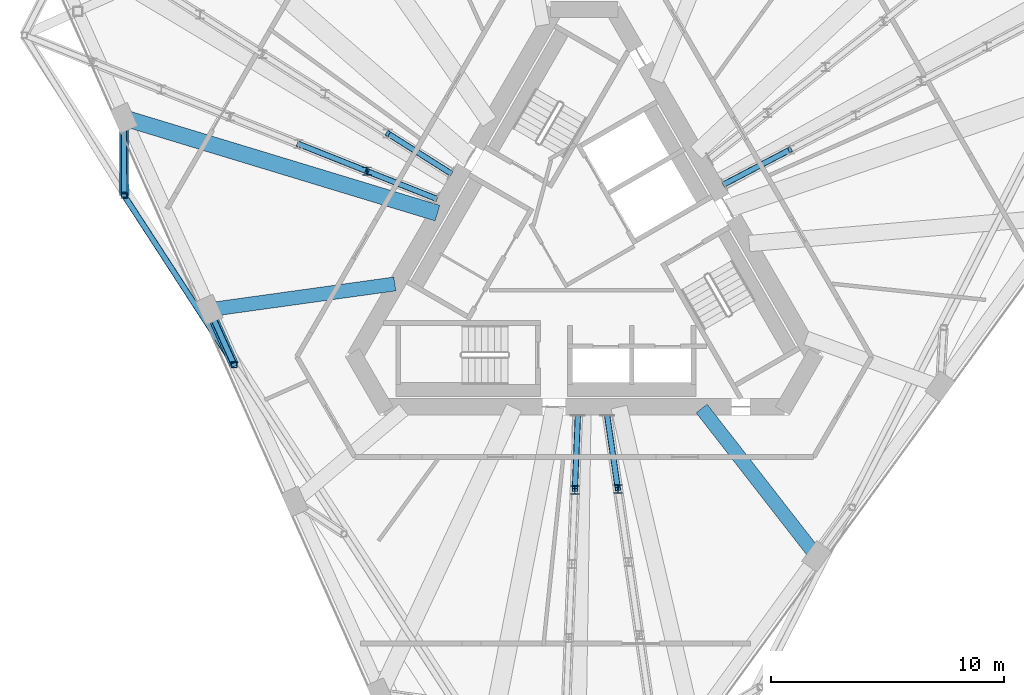
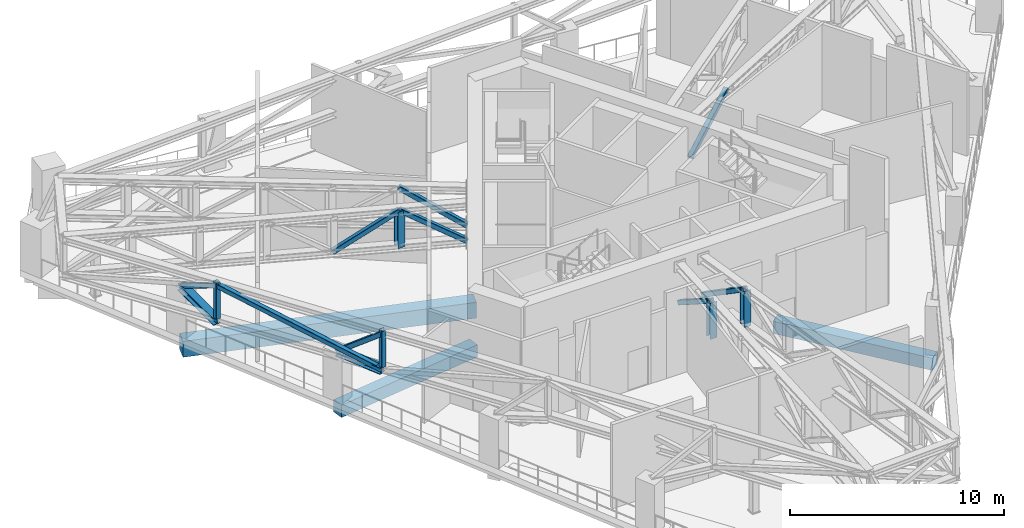
# One storey, part 4 of 20: 16 members, 3 beams.
"""IFC4 building model written with IfcOpenShell, lengths in metres."""

from ifc_helpers import new_model, si_unit, direction, frame, origin, origin_2d, place, context, subcontext, project, spatial, rectangle, hollow_rectangle, i_section, extrude, material, material_profile, profile_set, type_object, element, save


model = new_model("IFC4")

# Units and contexts
model_context = context("Model", 3, precision=1e-05, world=origin(), true_north=direction((0.0, 1.0)))
body_context = subcontext(model_context, "Body", "Model", "MODEL_VIEW")
ifc_project = project(units=[si_unit("LENGTHUNIT", "METRE"), si_unit("AREAUNIT", "SQUARE_METRE"), si_unit("VOLUMEUNIT", "CUBIC_METRE"), si_unit("PLANEANGLEUNIT", "RADIAN"), si_unit("MASSUNIT", "GRAM", prefix="KILO")], contexts=[model_context])

# Site, building, storey
site_placement = place(None, origin())
site = spatial("IfcSite", under=ifc_project, at=site_placement, CompositionType="ELEMENT")
building_placement = place(site_placement, origin())
building = spatial("IfcBuilding", under=site, at=building_placement, Name="Tramontana Tower", CompositionType="ELEMENT")
storey_placement = place(building_placement, frame((0.0, 0.0, 269.199951171875)))
storey = spatial("IfcBuildingStorey", under=building, at=storey_placement, Name="L63", CompositionType="ELEMENT", Elevation=269.199951171875)

# Members
ifc_material_1 = material(Name="Steel ASTM A500 Grade C", Category="steel")
ifc_material_profile_1 = material_profile(ifc_material_1, hollow_rectangle(XDim=0.25390625, YDim=0.25390625, WallThickness=0.01171875, InnerFilletRadius=0.01171875, OuterFilletRadius=0.023681640625, at=origin_2d()), Name="HSS10X10X1/2")
ifc_profile_set_1 = profile_set([ifc_material_profile_1], Name="Steel ASTM A500 Grade C")
member_type_1 = type_object("IfcMemberType", Name="Belt truss HSS10X10X1/2 brace", PredefinedType="BRACE", material=ifc_profile_set_1)
member_1_placement = place(storey_placement, frame((-19.739013671875, 2.670654296875, 4.65625), z_axis=(0.529823640233, -0.815851619925, -0.231674436475), x_axis=(0.838668969916, 0.544641495757, 0.0)))
element("IfcMember", 1, at=member_1_placement, inside=storey, type_object=member_type_1, Name="Belt truss diagonal S0.2", PredefinedType="BRACE", context=body_context, shape_type="SweptSolid", body=[
    extrude(hollow_rectangle(XDim=0.25390625, YDim=0.25390625, WallThickness=0.01171875, InnerFilletRadius=0.01171875, OuterFilletRadius=0.023681640625, at=origin_2d()), origin(), (0.0, 0.0, 1.0), 8.902587890625),
])
ifc_material_2 = material(Name="Steel ASTM A500 Grade C", Category="steel")
ifc_material_profile_2 = material_profile(ifc_material_2, hollow_rectangle(XDim=0.25390625, YDim=0.25390625, WallThickness=0.01171875, InnerFilletRadius=0.01171875, OuterFilletRadius=0.023681640625, at=origin_2d()), Name="HSS10X10X1/2")
ifc_profile_set_2 = profile_set([ifc_material_profile_2], Name="Steel ASTM A500 Grade C")
member_type_2 = type_object("IfcMemberType", Name="Belt truss HSS10X10X1/2 post", PredefinedType="POST", material=ifc_profile_set_2)
for number, where, z_axis, x_axis, name in (
    (2, (-19.739013671875, 2.670654296875, 2.787353515625), (0.0, 0.0, 1.0), (1.0, 0.0, 0.0), "Belt truss post C7F01"),
    (3, (-15.022216796875, -4.592529296875, 2.787353515625), (0.0, 0.0, 1.0), (1.0, 0.0, 0.0), "Belt truss post C7F02"),
):
    element("IfcMember", number, at=place(storey_placement, frame(where, z_axis=z_axis, x_axis=x_axis)), inside=storey, type_object=member_type_2, Name=name, PredefinedType="POST", context=body_context, shape_type="SweptSolid", body=[
        extrude(hollow_rectangle(XDim=0.25390625, YDim=0.25390625, WallThickness=0.01171875, InnerFilletRadius=0.01171875, OuterFilletRadius=0.023681640625, at=origin_2d()), origin(), (0.0, 0.0, 1.0), 2.062744140625),
    ])

# Beams
ifc_material_3 = material(Name="Concrete 40 MPa", Category="concrete")
ifc_material_profile_3 = material_profile(ifc_material_3, rectangle(XDim=0.60009765625, YDim=0.699951171875, at=origin_2d()), Name="RC GIRDER 600X700 40 MPa")
ifc_profile_set_3 = profile_set([ifc_material_profile_3], Name="Concrete 40 MPa")
beam_type_1 = type_object("IfcBeamType", Name="RC GIRDER 600X700 40 MPa", PredefinedType="BEAM", material=ifc_profile_set_3)
for number, where, z_axis, x_axis, name in (
    (4, (-16.0830078125, -2.231201171875, -0.699951171875), (0.990511014631, 0.13743336529, 0.0), (-0.13743336529, 0.990511014631, 0.0), "Radial girder C6F02 L63"),
    (5, (9.9736328125, -12.812744140625, -0.699951171875), (-0.614258279955, 0.789105040857, 0.0), (-0.789105040857, -0.614258279955, 0.0), "Radial girder C6F06 L63"),
):
    element("IfcBeam", number, at=place(storey_placement, frame(where, z_axis=z_axis, x_axis=x_axis)), inside=storey, type_object=beam_type_1, Name=name, PredefinedType="BEAM", context=body_context, shape_type="SweptSolid", body=[
        extrude(rectangle(XDim=0.60009765625, YDim=0.699951171875, at=origin_2d()), origin(), (0.0, 0.0, 1.0), 8.032958984375),
    ])
ifc_material_4 = material(Name="Concrete 40 MPa", Category="concrete")
ifc_material_profile_4 = material_profile(ifc_material_4, rectangle(XDim=0.699951171875, YDim=0.89990234375, at=origin_2d()), Name="RC GIRDER 700X900 40 MPa")
ifc_profile_set_4 = profile_set([ifc_material_profile_4], Name="Concrete 40 MPa")
beam_type_2 = type_object("IfcBeamType", Name="RC GIRDER 700X900 40 MPa", PredefinedType="BEAM", material=ifc_profile_set_4)
beam_placement = place(storey_placement, frame((-19.746337890625, 5.996826171875, -0.800048828125), z_axis=(0.956850397844, -0.290580997566, 0.0), x_axis=(0.290580997566, 0.956850397844, 0.0)))
element("IfcBeam", 6, at=beam_placement, inside=storey, type_object=beam_type_2, Name="Radial girder C6F01 L63", PredefinedType="BEAM", context=body_context, shape_type="SweptSolid", body=[
    extrude(rectangle(XDim=0.699951171875, YDim=0.89990234375, at=origin_2d()), origin(), (0.0, 0.0, 1.0), 14.05615234375),
])

# Members
ifc_material_5 = material(Name="Steel ASTM A500 Grade C", Category="steel")
ifc_material_profile_5 = material_profile(ifc_material_5, hollow_rectangle(XDim=0.25390625, YDim=0.25390625, WallThickness=0.01171875, InnerFilletRadius=0.01171875, OuterFilletRadius=0.023681640625, at=origin_2d()), Name="HSS10X10X1/2")
ifc_profile_set_5 = profile_set([ifc_material_profile_5], Name="Steel ASTM A500 Grade C")
member_type_3 = type_object("IfcMemberType", Name="Transfer truss HSS10X10X1/2 brace", PredefinedType="BRACE", material=ifc_profile_set_5)
member_2_placement = place(storey_placement, frame((-19.746337890625, 5.996826171875, 2.59375), z_axis=(0.001871410553, -0.849869912651, 0.526989211838), x_axis=(0.999997575615, 0.002201991138, 0.0)))
element("IfcMember", 7, at=member_2_placement, inside=storey, type_object=member_type_3, Name="Transfer truss strut C7F01 diagonal", PredefinedType="BRACE", context=body_context, shape_type="SweptSolid", body=[
    extrude(hollow_rectangle(XDim=0.25390625, YDim=0.25390625, WallThickness=0.01171875, InnerFilletRadius=0.01171875, OuterFilletRadius=0.023681640625, at=origin_2d()), origin(), (0.0, 0.0, 1.0), 3.913818359375),
])
member_3_placement = place(storey_placement, frame((-16.0830078125, -2.231201171875, 2.59375), z_axis=(0.320495963909, -0.713426228522, 0.623141519701), x_axis=(0.912182491272, 0.4097842147, 0.0)))
element("IfcMember", 8, at=member_3_placement, inside=storey, type_object=member_type_3, Name="Transfer truss strut C7F02 diagonal", PredefinedType="BRACE", context=body_context, shape_type="SweptSolid", body=[
    extrude(hollow_rectangle(XDim=0.25390625, YDim=0.25390625, WallThickness=0.01171875, InnerFilletRadius=0.01171875, OuterFilletRadius=0.023681640625, at=origin_2d()), origin(), (0.0, 0.0, 1.0), 3.309814453125),
])
member_4_placement = place(storey_placement, frame((-0.273193359375, -6.7900390625, 2.59375), z_axis=(-0.034029018122, -0.838093469062, 0.54446428996), x_axis=(0.999176720405, -0.040569463886, 0.0)))
element("IfcMember", 9, at=member_4_placement, inside=storey, type_object=member_type_3, Name="Transfer truss diagonal 1.1", PredefinedType="BRACE", context=body_context, shape_type="SweptSolid", body=[
    extrude(hollow_rectangle(XDim=0.25390625, YDim=0.25390625, WallThickness=0.01171875, InnerFilletRadius=0.01171875, OuterFilletRadius=0.023681640625, at=origin_2d()), origin(), (0.0, 0.0, 1.0), 3.7880859375),
])
member_5_placement = place(storey_placement, frame((0.98681640625, -6.7900390625, 2.59375), z_axis=(0.12145752252, -0.829076801329, 0.545783590558), x_axis=(0.98943895957, 0.144950147588, 0.0)))
element("IfcMember", 10, at=member_5_placement, inside=storey, type_object=member_type_3, Name="Transfer truss diagonal 2.1", PredefinedType="BRACE", context=body_context, shape_type="SweptSolid", body=[
    extrude(hollow_rectangle(XDim=0.25390625, YDim=0.25390625, WallThickness=0.01171875, InnerFilletRadius=0.01171875, OuterFilletRadius=0.023681640625, at=origin_2d()), origin(), (0.0, 0.0, 1.0), 3.779052734375),
])
for number, where, z_axis, x_axis, name in (
    (11, (6.016845703125, 3.158447265625, 2.59375), (0.742825808923, 0.389587195466, 0.544455356046), (-0.464463427319, 0.885592301617, 0.0), "Transfer truss diagonal 3.1"),
    (12, (-5.74365234375, 3.631591796875, 2.59375), (-0.708807676972, 0.44849905656, 0.54446328924), (-0.534701063709, -0.845041284476, 0.0), "Transfer truss diagonal 5.1"),
):
    element("IfcMember", number, at=place(storey_placement, frame(where, z_axis=z_axis, x_axis=x_axis)), inside=storey, type_object=member_type_3, Name=name, PredefinedType="BRACE", context=body_context, shape_type="SweptSolid", body=[
        extrude(hollow_rectangle(XDim=0.25390625, YDim=0.25390625, WallThickness=0.01171875, InnerFilletRadius=0.01171875, OuterFilletRadius=0.023681640625, at=origin_2d()), origin(), (0.0, 0.0, 1.0), 3.7880859375),
    ])
member_6_placement = place(storey_placement, frame((-6.373779296875, 2.540283203125, 2.59375), z_axis=(-0.778718224525, 0.309342309718, 0.54580698256), x_axis=(-0.369182804735, -0.9293567973, 0.0)))
element("IfcMember", 13, at=member_6_placement, inside=storey, type_object=member_type_3, Name="Transfer truss diagonal 6.1", PredefinedType="BRACE", context=body_context, shape_type="SweptSolid", body=[
    extrude(hollow_rectangle(XDim=0.25390625, YDim=0.25390625, WallThickness=0.01171875, InnerFilletRadius=0.01171875, OuterFilletRadius=0.023681640625, at=origin_2d()), origin(), (0.0, 0.0, 1.0), 3.77880859375),
])
member_7_placement = place(storey_placement, frame((-9.31640625, 3.709228515625, 4.65625), z_axis=(-0.778728088602, 0.309385168103, -0.545768615606), x_axis=(-0.369222941793, -0.929340852031, 0.0)))
element("IfcMember", 14, at=member_7_placement, inside=storey, type_object=member_type_3, Name="Transfer truss diagonal 6.2", PredefinedType="BRACE", context=body_context, shape_type="SweptSolid", body=[
    extrude(hollow_rectangle(XDim=0.25390625, YDim=0.25390625, WallThickness=0.01171875, InnerFilletRadius=0.01171875, OuterFilletRadius=0.023681640625, at=origin_2d()), origin(), (0.0, 0.0, 1.0), 3.779052734375),
])
ifc_material_6 = material(Name="Steel ASTM A992 Grade 50", Category="steel")
ifc_material_profile_6 = material_profile(ifc_material_6, i_section(OverallWidth=0.39697265625, OverallDepth=0.387451171875, WebThickness=0.020751953125, FlangeThickness=0.033447265625, FilletRadius=0.01513671875, at=origin_2d()), Name="W14X176")
ifc_profile_set_6 = profile_set([ifc_material_profile_6], Name="Steel ASTM A992 Grade 50")
member_type_4 = type_object("IfcMemberType", Name="Transfer truss W14X176 strut", PredefinedType="STRUT", material=ifc_profile_set_6)
member_8_placement = place(storey_placement, frame((-19.746337890625, 5.996826171875, 2.59375), z_axis=(0.002201991138, -0.999997575615, 0.0), x_axis=(0.999997575615, 0.002201991138, 0.0)))
element("IfcMember", 15, at=member_8_placement, inside=storey, type_object=member_type_4, Name="Transfer truss strut C7F01 bottom", PredefinedType="STRUT", context=body_context, shape_type="SweptSolid", body=[
    extrude(i_section(OverallWidth=0.39697265625, OverallDepth=0.387451171875, WebThickness=0.020751953125, FlangeThickness=0.033447265625, FilletRadius=0.01513671875, at=origin_2d()), origin(), (0.0, 0.0, 1.0), 3.326171875),
])
member_9_placement = place(storey_placement, frame((-16.0830078125, -2.231201171875, 2.59375), z_axis=(0.4097842147, -0.912182491272, 0.0), x_axis=(0.912182491272, 0.4097842147, 0.0)))
element("IfcMember", 16, at=member_9_placement, inside=storey, type_object=member_type_4, Name="Transfer truss strut C7F02 bottom", PredefinedType="STRUT", context=body_context, shape_type="SweptSolid", body=[
    extrude(i_section(OverallWidth=0.39697265625, OverallDepth=0.387451171875, WebThickness=0.020751953125, FlangeThickness=0.033447265625, FilletRadius=0.01513671875, at=origin_2d()), origin(), (0.0, 0.0, 1.0), 2.588623046875),
])
ifc_material_7 = material(Name="Steel ASTM A992 Grade 50", Category="steel")
ifc_material_profile_7 = material_profile(ifc_material_7, i_section(OverallWidth=0.368408203125, OverallDepth=0.355712890625, WebThickness=0.01123046875, FlangeThickness=0.017578125, FilletRadius=0.01513671875, at=origin_2d()), Name="W14X90")
ifc_profile_set_7 = profile_set([ifc_material_profile_7], Name="Steel ASTM A992 Grade 50")
member_type_5 = type_object("IfcMemberType", Name="Transfer truss W14X90 post", PredefinedType="POST", material=ifc_profile_set_7)
for number, where, z_axis, x_axis, name in (
    (17, (-0.402099609375, -9.96484375, 2.59375), (0.0, 0.0, 1.0), (1.0, 0.0, 0.0), "Transfer truss post 1.1"),
    (18, (1.44580078125, -9.923095703125, 2.59375), (0.0, 0.0, 1.0), (1.0, 0.0, 0.0), "Transfer truss post 2.1"),
    (19, (-9.31640625, 3.709228515625, 2.59375), (0.0, 0.0, 1.0), (1.0, 0.0, 0.0), "Transfer truss post 6.1"),
):
    element("IfcMember", number, at=place(storey_placement, frame(where, z_axis=z_axis, x_axis=x_axis)), inside=storey, type_object=member_type_5, Name=name, PredefinedType="POST", context=body_context, shape_type="SweptSolid", body=[
        extrude(i_section(OverallWidth=0.368408203125, OverallDepth=0.355712890625, WebThickness=0.01123046875, FlangeThickness=0.017578125, FilletRadius=0.01513671875, at=origin_2d()), origin(), (0.0, 0.0, 1.0), 2.0625),
    ])

save(model, "model.ifc")
